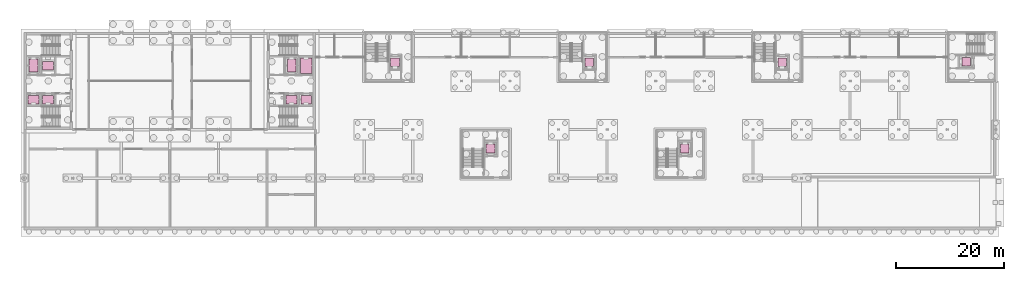
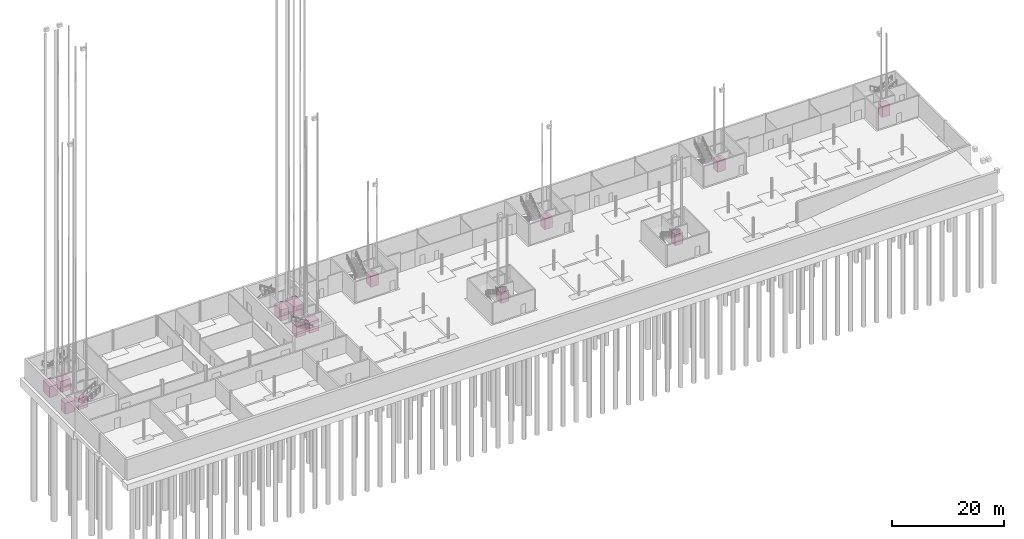
# One storey, part 41 of 41: 14 transport elements.
"""IFC4 building model written with IfcOpenShell, lengths in metres."""

from ifc_helpers import new_model, si_unit, direction, frame, origin, origin_2d, place, context, subcontext, project, spatial, rectangle, extrude, material, type_object, element, save


model = new_model("IFC4")

# Units and contexts
model_context = context("Model", 3, precision=1e-05, world=origin(), true_north=direction((0.0, 1.0)))
body_context = subcontext(model_context, "Body", "Model", "MODEL_VIEW")
ifc_project = project(units=[si_unit("LENGTHUNIT", "METRE"), si_unit("AREAUNIT", "SQUARE_METRE"), si_unit("VOLUMEUNIT", "CUBIC_METRE"), si_unit("PLANEANGLEUNIT", "RADIAN"), si_unit("MASSUNIT", "GRAM", prefix="KILO")], contexts=[model_context])

# Site, building, storey
site_placement = place(None, origin())
site = spatial("IfcSite", under=ifc_project, at=site_placement, CompositionType="ELEMENT")
building_placement = place(site_placement, origin())
building = spatial("IfcBuilding", under=site, at=building_placement, Name="Corbel Yard City Hall", CompositionType="ELEMENT")
storey_placement = place(building_placement, frame((0.0, 0.0, -4.5)))
storey = spatial("IfcBuildingStorey", under=building, at=storey_placement, Name="B1", CompositionType="ELEMENT", Elevation=-4.5)

# Transport elements
ifc_material = material(Name="Stainless steel Grade 316", Category="steel")
transport_element_type_1 = type_object("IfcTransportElementType", Name="LC1", PredefinedType="ELEVATOR", material=ifc_material)
for number, where, z_axis, x_axis, name in (
    (1, (68.699951171875, 111.5, 0.0), (0.0, 0.0, 1.0), (1.0, 0.0, 0.0), "Lift LP16 car"),
    (2, (104.699951171875, 111.5, 0.0), (0.0, 0.0, 1.0), (1.0, 0.0, 0.0), "Lift LP17 car"),
    (3, (140.39990234375, 111.5, 0.0), (0.0, 0.0, 1.0), (1.0, 0.0, 0.0), "Lift LP18 car"),
    (4, (174.5, 111.60009765625, 0.0), (0.0, 0.0, 1.0), (0.0, 1.0, 0.0), "Lift LP19 car"),
    (5, (86.39990234375, 95.5, 0.0), (0.0, 0.0, 1.0), (1.0, 0.0, 0.0), "Lift LP20 car"),
    (6, (122.39990234375, 95.5, 0.0), (0.0, 0.0, 1.0), (1.0, 0.0, 0.0), "Lift LP21 car"),
):
    element("IfcTransportElement", number, at=place(storey_placement, frame(where, z_axis=z_axis, x_axis=x_axis)), inside=storey, type_object=transport_element_type_1, Name=name, PredefinedType="ELEVATOR", context=body_context, shape_type="SweptSolid", body=[
        extrude(rectangle(XDim=1.60009765625, YDim=1.60009765625, at=origin_2d()), origin(), (0.0, 0.0, 1.0), 2.39990234375),
    ])
transport_element_type_2 = type_object("IfcTransportElementType", Name="LC2", PredefinedType="ELEVATOR", material=ifc_material)
for number, where, z_axis, x_axis, name in (
    (7, (4.449951171875, 104.550048828125, 0.0), (0.0, 0.0, 1.0), (1.0, 0.0, 0.0), "Lift LP22 car"),
    (8, (1.75, 104.550048828125, 0.0), (0.0, 0.0, 1.0), (1.0, 0.0, 0.0), "Lift LP23 car"),
    (9, (4.449951171875, 110.85009765625, 0.0), (0.0, 0.0, 1.0), (1.0, 0.0, 0.0), "Lift LP24 car"),
    (10, (49.550048828125, 104.550048828125, 0.0), (0.0, 0.0, 1.0), (1.0, 0.0, 0.0), "Lift LP25 car"),
    (11, (52.25, 104.550048828125, 0.0), (0.0, 0.0, 1.0), (1.0, 0.0, 0.0), "Lift LP26 car"),
):
    element("IfcTransportElement", number, at=place(storey_placement, frame(where, z_axis=z_axis, x_axis=x_axis)), inside=storey, type_object=transport_element_type_2, Name=name, PredefinedType="ELEVATOR", context=body_context, shape_type="SweptSolid", body=[
        extrude(rectangle(XDim=2.0, YDim=1.60009765625, at=origin_2d()), origin(), (0.0, 0.0, 1.0), 2.39990234375),
    ])
transport_element_type_3 = type_object("IfcTransportElementType", Name="LC3", PredefinedType="ELEVATOR", material=ifc_material)
for number, where, z_axis, x_axis, name in (
    (12, (1.75, 110.85009765625, 0.0), (0.0, 0.0, 1.0), (1.0, 0.0, 0.0), "Lift LF1 car"),
    (13, (49.550048828125, 110.85009765625, 0.0), (0.0, 0.0, 1.0), (1.0, 0.0, 0.0), "Lift LF2 car"),
):
    element("IfcTransportElement", number, at=place(storey_placement, frame(where, z_axis=z_axis, x_axis=x_axis)), inside=storey, type_object=transport_element_type_3, Name=name, PredefinedType="ELEVATOR", context=body_context, shape_type="SweptSolid", body=[
        extrude(rectangle(XDim=1.60009765625, YDim=2.39990234375, at=origin_2d()), origin(), (0.0, 0.0, 1.0), 2.39990234375),
    ])
transport_element_type_4 = type_object("IfcTransportElementType", Name="LC4", PredefinedType="ELEVATOR", material=ifc_material)
transport_element_placement = place(storey_placement, frame((52.25, 110.85009765625, 0.0), z_axis=(0.0, 0.0, 1.0), x_axis=(1.0, 0.0, 0.0)))
element("IfcTransportElement", 14, at=transport_element_placement, inside=storey, type_object=transport_element_type_4, Name="Lift LG1 car", PredefinedType="ELEVATOR", context=body_context, shape_type="SweptSolid", body=[
    extrude(rectangle(XDim=2.10009765625, YDim=2.89990234375, at=origin_2d()), origin(), (0.0, 0.0, 1.0), 2.39990234375),
])

save(model, "model.ifc")
